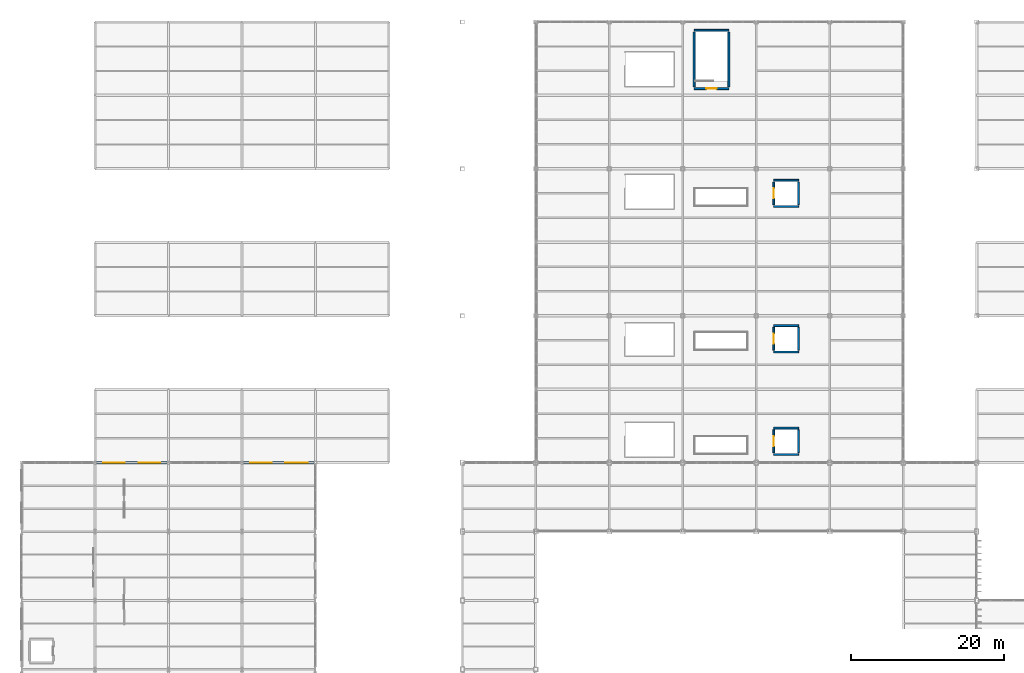
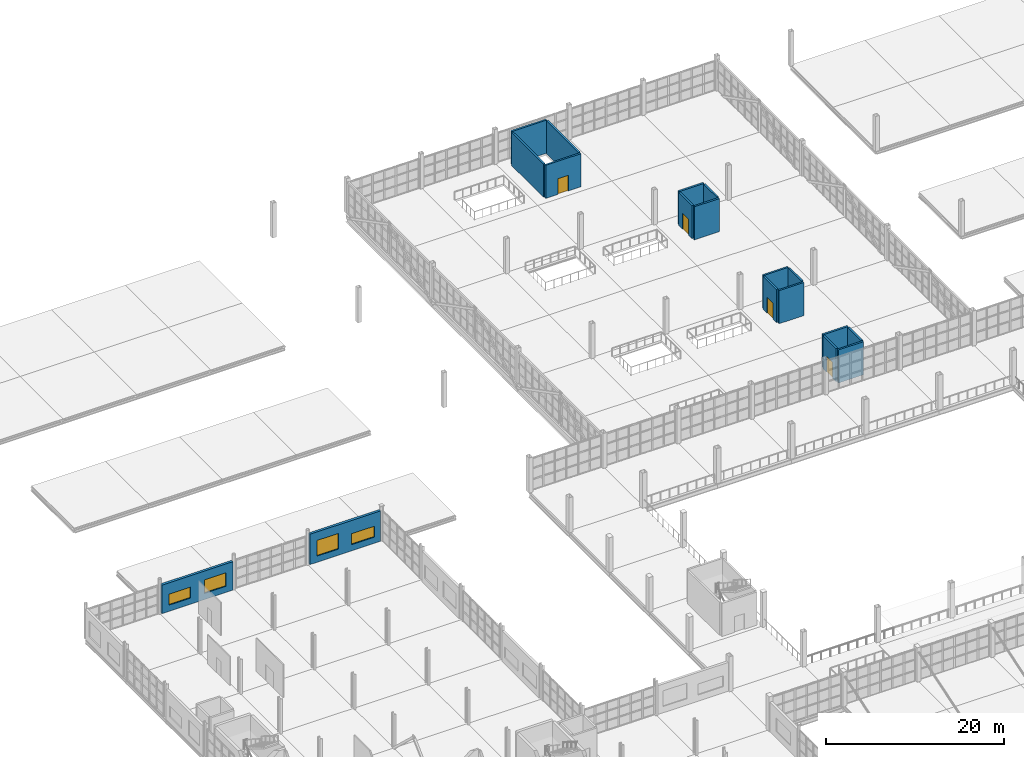
# One storey, part 110 of 120: 18 walls, 4 doors, 4 windows, 8 openings.
"""IFC4 building model written with IfcOpenShell, lengths in metres."""

import ifcopenshell
import ifcopenshell.guid

model = None  # the IFC model being written
_history = None  # IfcOwnerHistory: only IFC2X3 demands one
_inside = {}  # id of a spatial element -> (the spatial element, [elements in it])
_under = {}  # id of a project, library or spatial element -> (it, [spatial elements below it])
_declared = {}  # id of a project -> (the project, [libraries it declares])
_typed = {}  # id of a type object -> (the type object, [elements of that type])
_made_of = {}  # id of a material, layer set ... -> (it, [elements and type objects made of it])


def new_model(schema):
    """Start an empty IFC model of exactly this schema.

    Asked for "IFC4X3", IfcOpenShell would pick the latest addendum, in which some entities
    have other attributes; the version numbers below select the first issue.
    IFC2X3 requires an IfcOwnerHistory on every rooted entity: one is made here for all.
    """
    global model, _history
    if schema == "IFC4X3":
        model = ifcopenshell.file(schema_version=(4, 3, 0, 0))
    else:
        model = ifcopenshell.file(schema=schema)
    _inside.clear()
    _under.clear()
    _declared.clear()
    _typed.clear()
    _made_of.clear()
    _history = None
    if model.schema == "IFC2X3":
        org = make("IfcOrganization", Name="unknown")
        user = make(
            "IfcPersonAndOrganization",
            ThePerson=make("IfcPerson", FamilyName="unknown"),
            TheOrganization=org,
        )
        app = make(
            "IfcApplication",
            ApplicationDeveloper=org,
            Version="unknown",
            ApplicationFullName="unknown",
            ApplicationIdentifier="unknown",
        )
        _history = make(
            "IfcOwnerHistory",
            OwningUser=user,
            OwningApplication=app,
            ChangeAction="ADDED",
            CreationDate=0,
        )
    return model


def make(cls, **values):
    """One entity of the class cls with the attributes given. An attribute that is None is left unset."""
    return model.create_entity(
        cls, **{name: value for name, value in values.items() if value is not None}
    )


def rooted(cls, **values):
    """An entity with a GlobalId (a new one), such as an element, a storey or a relation."""
    return make(cls, GlobalId=ifcopenshell.guid.new(), OwnerHistory=_history, **values)


def si_unit(unit_type, name, prefix=None):
    """IfcSIUnit, for example si_unit("LENGTHUNIT", "METRE", prefix="MILLI")."""
    return make("IfcSIUnit", UnitType=unit_type, Prefix=prefix, Name=name)


def assignment(units):
    """IfcUnitAssignment: the units of a project."""
    return None if units is None else make("IfcUnitAssignment", Units=units)


def point(xyz):
    """IfcCartesianPoint."""
    return None if xyz is None else make("IfcCartesianPoint", Coordinates=xyz)


def direction(xyz):
    """IfcDirection."""
    return None if xyz is None else make("IfcDirection", DirectionRatios=xyz)


def frame(location, z_axis=None, x_axis=None):
    """IfcAxis2Placement3D, a coordinate frame: its origin and axes. An axis left out is left unset."""
    return make(
        "IfcAxis2Placement3D",
        Location=point(location),
        Axis=direction(z_axis),
        RefDirection=direction(x_axis),
    )


def frame_2d(location, x_axis=None):
    """IfcAxis2Placement2D, a coordinate frame in the plane: its origin and x axis."""
    return make(
        "IfcAxis2Placement2D", Location=point(location), RefDirection=direction(x_axis)
    )


def origin():
    """The frame at (0, 0, 0) with its axes left unset."""
    return frame((0.0, 0.0, 0.0))


def place(relative_to, where):
    """IfcLocalPlacement: puts the frame where relative to a parent placement (None: the world)."""
    return make(
        "IfcLocalPlacement", PlacementRelTo=relative_to, RelativePlacement=where
    )


def context(
    kind, dimensions, precision=None, world=None, true_north=None, identifier=None
):
    """IfcGeometricRepresentationContext, for example the 3D "Model" context."""
    return make(
        "IfcGeometricRepresentationContext",
        ContextIdentifier=identifier,
        ContextType=kind,
        CoordinateSpaceDimension=dimensions,
        Precision=precision,
        WorldCoordinateSystem=world,
        TrueNorth=true_north,
    )


def subcontext(parent, identifier, kind, view, scale=None):
    """IfcGeometricRepresentationSubContext, for example "Body" below "Model"."""
    return make(
        "IfcGeometricRepresentationSubContext",
        ContextIdentifier=identifier,
        ContextType=kind,
        ParentContext=parent,
        TargetScale=scale,
        TargetView=view,
    )


def project(units=None, contexts=None):
    """IfcProject with its units and contexts."""
    return rooted(
        "IfcProject",
        Name="project",
        RepresentationContexts=contexts,
        UnitsInContext=assignment(units),
    )


def spatial(cls, under=None, at=None, **own):
    """A site, building, storey or space (cls), placed at a placement, below another one or the project."""
    s = rooted(cls, ObjectPlacement=at, **own)
    if under is not None:
        _under.setdefault(under.id(), (under, []))[1].append(s)
    return s


def profile(cls, at=None, kind="AREA", **sizes):
    """A parametric profile (cls). Its sizes go by their IFC names, for example OverallWidth=200.0."""
    return make(cls, ProfileType=kind, Position=at, **sizes)


def rectangle(**sizes):
    """IfcRectangleProfileDef."""
    return profile("IfcRectangleProfileDef", **sizes)


def extrude(swept, where, along, depth):
    """IfcExtrudedAreaSolid: the profile swept, set in the frame where, extruded along a direction by depth."""
    return make(
        "IfcExtrudedAreaSolid",
        SweptArea=swept,
        Position=where,
        ExtrudedDirection=direction(along),
        Depth=depth,
    )


def shape(context_of_items, identifier, shape_type, items):
    """IfcShapeRepresentation: the items that make up one representation, for example the "Body"."""
    return make(
        "IfcShapeRepresentation",
        ContextOfItems=context_of_items,
        RepresentationIdentifier=identifier,
        RepresentationType=shape_type,
        Items=items,
    )


def material(Name=None, Category=None):
    """IfcMaterial."""
    return make("IfcMaterial", Name=Name, Category=Category)


def layer(
    of_material, thickness, ventilated=None, Name=None, Category=None, Priority=None
):
    """IfcMaterialLayer: one layer of a wall or slab, of a material (None: an air gap)."""
    return make(
        "IfcMaterialLayer",
        Material=of_material,
        LayerThickness=thickness,
        IsVentilated=ventilated,
        Name=Name,
        Category=Category,
        Priority=Priority,
    )


def layer_set(layers, Name=None):
    """IfcMaterialLayerSet."""
    return make("IfcMaterialLayerSet", MaterialLayers=layers, LayerSetName=Name)


def made_of(thing, what):
    """Note that an element or type object is made of a material, layer set ...; save() writes the relation."""
    if what is not None:
        _made_of.setdefault(what.id(), (what, []))[1].append(thing)
    return thing


def type_object(cls, material=None, **own):
    """A type object (cls), such as IfcWallType, which elements share."""
    return made_of(rooted(cls, **own), material)


def element(
    cls,
    number,
    at=None,
    inside=None,
    cuts=None,
    type_object=None,
    material=None,
    context=None,
    identifier="Body",
    shape_type=None,
    held_by="IfcProductDefinitionShape",
    body=None,
    shapes=None,
    **own,
):
    """One element of the class cls, such as IfcWall. Its Tag is "e" and its number.

    at: its placement. inside: the storey or other place that contains it. cuts: it is an
    opening in that element (IfcRelVoidsElement). A single representation is given by context,
    identifier, shape_type and body (its items); several are given by shapes. held_by: the class
    of the entity that holds the representations. save() writes the other relations.
    """
    e = rooted(cls, Tag="e%d" % number, ObjectPlacement=at, **own)
    if body is not None:
        shapes = [shape(context, identifier, shape_type, body)]
    if shapes is not None:
        e.Representation = make(held_by, Representations=shapes)
    if inside is not None:
        _inside.setdefault(inside.id(), (inside, []))[1].append(e)
    if cuts is not None:
        rooted(
            "IfcRelVoidsElement", RelatingBuildingElement=cuts, RelatedOpeningElement=e
        )
    if type_object is not None:
        _typed.setdefault(type_object.id(), (type_object, []))[1].append(e)
    return made_of(e, material)


def fill(opening, filler):
    """IfcRelFillsElement: the door or window that sits in an opening."""
    return rooted(
        "IfcRelFillsElement",
        RelatingOpeningElement=opening,
        RelatedBuildingElement=filler,
    )


def aggregate(whole, parts):
    """IfcRelAggregates: a whole, such as a stair, and the parts it consists of."""
    return rooted("IfcRelAggregates", RelatingObject=whole, RelatedObjects=parts)


def save(model, path):
    """Write the relations noted so far, then the file.

    IfcRelAggregates (storeys below a building ...), IfcRelContainedInSpatialStructure (elements
    in a storey), IfcRelDefinesByType, IfcRelAssociatesMaterial and IfcRelDeclares: one each for
    every whole, place, type object, material and project.
    """
    for whole, parts in _under.values():
        aggregate(whole, parts)
    for where, things in _inside.values():
        rooted(
            "IfcRelContainedInSpatialStructure",
            RelatedElements=things,
            RelatingStructure=where,
        )
    for kind, things in _typed.values():
        rooted("IfcRelDefinesByType", RelatedObjects=things, RelatingType=kind)
    for what, things in _made_of.values():
        rooted("IfcRelAssociatesMaterial", RelatedObjects=things, RelatingMaterial=what)
    for by, libraries in _declared.values():
        rooted("IfcRelDeclares", RelatingContext=by, RelatedDefinitions=libraries)
    model.write(path)


model = new_model("IFC4")

# Units and contexts
model_context = context("Model", 3, precision=1e-05, world=origin(), true_north=direction((0.0, 1.0)))
body_context = subcontext(model_context, "Body", "Model", "MODEL_VIEW")
ifc_project = project(units=[si_unit("LENGTHUNIT", "METRE"), si_unit("AREAUNIT", "SQUARE_METRE"), si_unit("VOLUMEUNIT", "CUBIC_METRE"), si_unit("PLANEANGLEUNIT", "RADIAN"), si_unit("MASSUNIT", "GRAM", prefix="KILO")], contexts=[model_context])

# Site, building, storey
site_placement = place(None, origin())
site = spatial("IfcSite", under=ifc_project, at=site_placement, CompositionType="ELEMENT")
building_placement = place(site_placement, origin())
building = spatial("IfcBuilding", under=site, at=building_placement, Name="Zarnetskaya Central Station", CompositionType="ELEMENT")
storey_placement = place(building_placement, frame((0.0, 0.0, 5.39990234375)))
storey = spatial("IfcBuildingStorey", under=building, at=storey_placement, Name="L01", CompositionType="ELEMENT", Elevation=5.39990234375)

# Wall, openings, windows
ifc_material_1 = material(Name="Precast concrete C40/50", Category="concrete")
ifc_layer_1 = layer(ifc_material_1, 0.320068359375, Name="Precast concrete C40/50", Category="concrete")
ifc_layer_set_1 = layer_set([ifc_layer_1], Name="Precast concrete C40/50")
wall_type_1 = type_object("IfcWallType", Name="WALL-EXT-320", PredefinedType="SOLIDWALL", material=ifc_layer_set_1)
wall_1_placement = place(storey_placement, frame((9.80322265625, 67.199951171875, 0.0), z_axis=(0.0, 0.0, 1.0), x_axis=(1.0, 0.0, 0.0)))
wall_1 = element("IfcWall", 1, at=wall_1_placement, inside=storey, type_object=wall_type_1, Name="Exterior precast wall EW-L01-98-672-190-672", PredefinedType="SOLIDWALL", context=body_context, shape_type="SweptSolid", body=[
    extrude(rectangle(XDim=9.193603515625, YDim=0.320068359375, at=frame_2d((4.5966796875, 0.0))), origin(), (0.0, 0.0, 1.0), 3.91015625),
])
opening_1_placement = place(wall_1_placement, frame((0.8984375, 0.0, 0.85009765625)))
opening_1 = element("IfcOpeningElement", 2, at=opening_1_placement, cuts=wall_1, Name="Opening WN-27", PredefinedType="OPENING", context=body_context, shape_type="SweptSolid", body=[
    extrude(rectangle(XDim=2.800048828125, YDim=1.5, at=frame_2d((1.39990234375, 0.75))), frame((0.0, 0.169921875, 0.0), z_axis=(0.0, -1.0, 0.0), x_axis=(1.0, 0.0, 0.0)), (0.0, 0.0, 1.0), 0.340087890625),
])
opening_2_placement = place(wall_1_placement, frame((5.4951171875, 0.0, 0.85009765625)))
opening_2 = element("IfcOpeningElement", 3, at=opening_2_placement, cuts=wall_1, Name="Opening WN-02", PredefinedType="OPENING", context=body_context, shape_type="SweptSolid", body=[
    extrude(rectangle(XDim=2.800048828125, YDim=1.85009765625, at=frame_2d((1.39990234375, 0.925048828125))), frame((0.0, 0.169921875, 0.0), z_axis=(0.0, -1.0, 0.0), x_axis=(1.0, 0.0, 0.0)), (0.0, 0.0, 1.0), 0.340087890625),
])
ifc_material_2 = material(Name="Low-E insulated glass", Category="glass")
window_type_1 = type_object("IfcWindowType", Name="WIN-43", PartitioningType="DOUBLE_PANEL_VERTICAL", PredefinedType="WINDOW", material=ifc_material_2)
window_1_placement = place(opening_1_placement, origin())
window_1 = element("IfcWindow", 4, at=window_1_placement, inside=storey, type_object=window_type_1, Name="Facade window L01-0043", OverallHeight=1.5, OverallWidth=2.800048828125, PartitioningType="SINGLE_PANEL", PredefinedType="WINDOW", context=body_context, shape_type="SweptSolid", body=[
    extrude(rectangle(XDim=2.800048828125, YDim=1.5, at=frame_2d((1.39990234375, 0.75))), frame((0.0, 0.030029296875, 0.0), z_axis=(0.0, -1.0, 0.0), x_axis=(1.0, 0.0, 0.0)), (0.0, 0.0, 1.0), 0.06005859375),
])
fill(opening_1, window_1)
window_type_2 = type_object("IfcWindowType", Name="WIN-44", PartitioningType="DOUBLE_PANEL_VERTICAL", PredefinedType="WINDOW", material=ifc_material_2)
window_2_placement = place(opening_2_placement, origin())
window_2 = element("IfcWindow", 5, at=window_2_placement, inside=storey, type_object=window_type_2, Name="Facade window L01-0044", OverallHeight=1.85009765625, OverallWidth=2.800048828125, PartitioningType="SINGLE_PANEL", PredefinedType="WINDOW", context=body_context, shape_type="SweptSolid", body=[
    extrude(rectangle(XDim=2.800048828125, YDim=1.85009765625, at=frame_2d((1.39990234375, 0.925048828125))), frame((0.0, 0.030029296875, 0.0), z_axis=(0.0, -1.0, 0.0), x_axis=(1.0, 0.0, 0.0)), (0.0, 0.0, 1.0), 0.06005859375),
])
fill(opening_2, window_2)

wall_2_placement = place(storey_placement, frame((29.003173828125, 67.199951171875, 0.0), z_axis=(0.0, 0.0, 1.0), x_axis=(1.0, 0.0, 0.0)))
wall_2 = element("IfcWall", 6, at=wall_2_placement, inside=storey, type_object=wall_type_1, Name="Exterior precast wall EW-L01-290-672-382-672", PredefinedType="SOLIDWALL", context=body_context, shape_type="SweptSolid", body=[
    extrude(rectangle(XDim=9.193603515625, YDim=0.320068359375, at=frame_2d((4.5966796875, 0.0))), origin(), (0.0, 0.0, 1.0), 4.170166015625),
])
opening_3_placement = place(wall_2_placement, frame((0.8984375, 0.0, 0.85009765625)))
opening_3 = element("IfcOpeningElement", 7, at=opening_3_placement, cuts=wall_2, Name="Opening WN-05", PredefinedType="OPENING", context=body_context, shape_type="SweptSolid", body=[
    extrude(rectangle(XDim=2.800048828125, YDim=2.14990234375, at=frame_2d((1.39990234375, 1.074951171875))), frame((0.0, 0.169921875, 0.0), z_axis=(0.0, -1.0, 0.0), x_axis=(1.0, 0.0, 0.0)), (0.0, 0.0, 1.0), 0.340087890625),
])
opening_4_placement = place(wall_2_placement, frame((5.420166015625, 0.0, 0.85009765625)))
opening_4 = element("IfcOpeningElement", 8, at=opening_4_placement, cuts=wall_2, Name="Opening WN-33", PredefinedType="OPENING", context=body_context, shape_type="SweptSolid", body=[
    extrude(rectangle(XDim=2.949951171875, YDim=1.5, at=frame_2d((1.47509765625, 0.75))), frame((0.0, 0.169921875, 0.0), z_axis=(0.0, -1.0, 0.0), x_axis=(1.0, 0.0, 0.0)), (0.0, 0.0, 1.0), 0.340087890625),
])
window_type_3 = type_object("IfcWindowType", Name="WIN-45", PartitioningType="DOUBLE_PANEL_VERTICAL", PredefinedType="WINDOW", material=ifc_material_2)
window_3_placement = place(opening_3_placement, origin())
window_3 = element("IfcWindow", 9, at=window_3_placement, inside=storey, type_object=window_type_3, Name="Facade window L01-0045", OverallHeight=2.14990234375, OverallWidth=2.800048828125, PartitioningType="SINGLE_PANEL", PredefinedType="WINDOW", context=body_context, shape_type="SweptSolid", body=[
    extrude(rectangle(XDim=2.800048828125, YDim=2.14990234375, at=frame_2d((1.39990234375, 1.074951171875))), frame((0.0, 0.030029296875, 0.0), z_axis=(0.0, -1.0, 0.0), x_axis=(1.0, 0.0, 0.0)), (0.0, 0.0, 1.0), 0.06005859375),
])
fill(opening_3, window_3)
window_type_4 = type_object("IfcWindowType", Name="WIN-46", PartitioningType="DOUBLE_PANEL_VERTICAL", PredefinedType="WINDOW", material=ifc_material_2)
window_4_placement = place(opening_4_placement, origin())
window_4 = element("IfcWindow", 10, at=window_4_placement, inside=storey, type_object=window_type_4, Name="Facade window L01-0046", OverallHeight=1.5, OverallWidth=2.949951171875, PartitioningType="SINGLE_PANEL", PredefinedType="WINDOW", context=body_context, shape_type="SweptSolid", body=[
    extrude(rectangle(XDim=2.949951171875, YDim=1.5, at=frame_2d((1.47509765625, 0.75))), frame((0.0, 0.030029296875, 0.0), z_axis=(0.0, -1.0, 0.0), x_axis=(1.0, 0.0, 0.0)), (0.0, 0.0, 1.0), 0.06005859375),
])
fill(opening_4, window_4)

# Walls
ifc_material_3 = material(Name="Concrete C35/45", Category="concrete")
ifc_layer_2 = layer(ifc_material_3, 0.239990234375, Name="Concrete C35/45", Category="concrete")
ifc_layer_set_2 = layer_set([ifc_layer_2], Name="Concrete C35/45")
wall_type_2 = type_object("IfcWallType", Name="WALL-SHFT-240", PredefinedType="SHEAR", material=ifc_layer_set_2)
for number, where, z_axis, x_axis, name in (
    (11, (101.52001953125, 68.280029296875, 0.0), (0.0, 0.0, 1.0), (-1.0, 0.0, 0.0), "Core shear wall WSHF-L01-0145"),
    (12, (98.280029296875, 71.719970703125, 0.0), (0.0, 0.0, 1.0), (1.0, 0.0, 0.0), "Core shear wall WSHF-L01-0146"),
):
    element("IfcWall", number, at=place(storey_placement, frame(where, z_axis=z_axis, x_axis=x_axis)), inside=storey, type_object=wall_type_2, Name=name, PredefinedType="SHEAR", context=body_context, shape_type="SweptSolid", body=[
        extrude(rectangle(XDim=3.239990234375, YDim=0.239990234375, at=frame_2d((1.6201171875, 0.0))), origin(), (0.0, 0.0, 1.0), 4.5400390625),
    ])

# Wall, opening, door
wall_3_placement = place(storey_placement, frame((98.280029296875, 68.52001953125, 0.0), z_axis=(0.0, 0.0, 1.0), x_axis=(0.0, 1.0, 0.0)))
wall_3 = element("IfcWall", 13, at=wall_3_placement, inside=storey, type_object=wall_type_2, Name="Core shear wall WSHF-L01-0147", PredefinedType="SHEAR", context=body_context, shape_type="SweptSolid", body=[
    extrude(rectangle(XDim=2.9599609375, YDim=0.239990234375, at=frame_2d((1.47998046875, 0.0))), origin(), (0.0, 0.0, 1.0), 4.5400390625),
])
opening_5_placement = place(wall_3_placement, frame((0.81005859375, 0.0, 0.0)))
opening_5 = element("IfcOpeningElement", 14, at=opening_5_placement, cuts=wall_3, Name="Opening DR-23", PredefinedType="OPENING", context=body_context, shape_type="SweptSolid", body=[
    extrude(rectangle(XDim=1.340087890625, YDim=2.179931640625, at=frame_2d((0.669921875, 1.08984375))), frame((0.0, 0.1298828125, 0.0), z_axis=(0.0, -1.0, 0.0), x_axis=(1.0, 0.0, 0.0)), (0.0, 0.0, 1.0), 0.260009765625),
])
ifc_material_4 = material(Name="Anodised aluminium", Category="aluminium")
door_type_1 = type_object("IfcDoorType", Name="DR-LIFT-PLAT", OperationType="NOTDEFINED", PredefinedType="DOOR", material=ifc_material_4)
door_1_placement = place(opening_5_placement, origin())
door_1 = element("IfcDoor", 15, at=door_1_placement, inside=storey, type_object=door_type_1, Name="Lift landing sliding door LP-04 L01", OperationType="DOUBLE_DOOR_SLIDING", OverallHeight=2.179931640625, OverallWidth=1.340087890625, PredefinedType="DOOR", context=body_context, shape_type="SweptSolid", body=[
    extrude(rectangle(XDim=1.340087890625, YDim=2.179931640625, at=frame_2d((0.669921875, 1.08984375))), frame((0.0, 0.02490234375, 0.0), z_axis=(0.0, -1.0, 0.0), x_axis=(1.0, 0.0, 0.0)), (0.0, 0.0, 1.0), 0.050048828125),
])
fill(opening_5, door_1)

# Walls
wall_4_placement = place(storey_placement, frame((101.52001953125, 71.47998046875, 0.0), z_axis=(0.0, 0.0, 1.0), x_axis=(0.0, -1.0, 0.0)))
element("IfcWall", 16, at=wall_4_placement, inside=storey, type_object=wall_type_2, Name="Core shear wall WSHF-L01-0148", PredefinedType="SHEAR", context=body_context, shape_type="SweptSolid", body=[
    extrude(rectangle(XDim=2.9599609375, YDim=0.239990234375, at=frame_2d((1.47998046875, 0.0))), origin(), (0.0, 0.0, 1.0), 4.5400390625),
])
for number, where, z_axis, x_axis, name in (
    (17, (101.52001953125, 81.679931640625, 0.0), (0.0, 0.0, 1.0), (-1.0, 0.0, 0.0), "Core shear wall WSHF-L01-0157"),
    (18, (98.280029296875, 85.1201171875, 0.0), (0.0, 0.0, 1.0), (1.0, 0.0, 0.0), "Core shear wall WSHF-L01-0158"),
):
    element("IfcWall", number, at=place(storey_placement, frame(where, z_axis=z_axis, x_axis=x_axis)), inside=storey, type_object=wall_type_2, Name=name, PredefinedType="SHEAR", context=body_context, shape_type="SweptSolid", body=[
        extrude(rectangle(XDim=3.239990234375, YDim=0.239990234375, at=frame_2d((1.6201171875, 0.0))), origin(), (0.0, 0.0, 1.0), 4.5400390625),
    ])

# Wall, opening, door
wall_5_placement = place(storey_placement, frame((98.280029296875, 81.919921875, 0.0), z_axis=(0.0, 0.0, 1.0), x_axis=(0.0, 1.0, 0.0)))
wall_5 = element("IfcWall", 19, at=wall_5_placement, inside=storey, type_object=wall_type_2, Name="Core shear wall WSHF-L01-0159", PredefinedType="SHEAR", context=body_context, shape_type="SweptSolid", body=[
    extrude(rectangle(XDim=2.9599609375, YDim=0.239990234375, at=frame_2d((1.47998046875, 0.0))), origin(), (0.0, 0.0, 1.0), 4.5400390625),
])
opening_6_placement = place(wall_5_placement, frame((0.81005859375, 0.0, 0.0)))
opening_6 = element("IfcOpeningElement", 20, at=opening_6_placement, cuts=wall_5, Name="Opening DR-23", PredefinedType="OPENING", context=body_context, shape_type="SweptSolid", body=[
    extrude(rectangle(XDim=1.340087890625, YDim=2.179931640625, at=frame_2d((0.669921875, 1.08984375))), frame((0.0, 0.1298828125, 0.0), z_axis=(0.0, -1.0, 0.0), x_axis=(1.0, 0.0, 0.0)), (0.0, 0.0, 1.0), 0.260009765625),
])
door_2_placement = place(opening_6_placement, origin())
door_2 = element("IfcDoor", 21, at=door_2_placement, inside=storey, type_object=door_type_1, Name="Lift landing sliding door LP-05 L01", OperationType="DOUBLE_DOOR_SLIDING", OverallHeight=2.179931640625, OverallWidth=1.340087890625, PredefinedType="DOOR", context=body_context, shape_type="SweptSolid", body=[
    extrude(rectangle(XDim=1.340087890625, YDim=2.179931640625, at=frame_2d((0.669921875, 1.08984375))), frame((0.0, 0.02490234375, 0.0), z_axis=(0.0, -1.0, 0.0), x_axis=(1.0, 0.0, 0.0)), (0.0, 0.0, 1.0), 0.050048828125),
])
fill(opening_6, door_2)

# Walls
wall_6_placement = place(storey_placement, frame((101.52001953125, 84.8798828125, 0.0), z_axis=(0.0, 0.0, 1.0), x_axis=(0.0, -1.0, 0.0)))
element("IfcWall", 22, at=wall_6_placement, inside=storey, type_object=wall_type_2, Name="Core shear wall WSHF-L01-0160", PredefinedType="SHEAR", context=body_context, shape_type="SweptSolid", body=[
    extrude(rectangle(XDim=2.9599609375, YDim=0.239990234375, at=frame_2d((1.47998046875, 0.0))), origin(), (0.0, 0.0, 1.0), 4.5400390625),
])
for number, where, z_axis, x_axis, name in (
    (23, (101.52001953125, 100.679931640625, 0.0), (0.0, 0.0, 1.0), (-1.0, 0.0, 0.0), "Core shear wall WSHF-L01-0169"),
    (24, (98.280029296875, 104.1201171875, 0.0), (0.0, 0.0, 1.0), (1.0, 0.0, 0.0), "Core shear wall WSHF-L01-0170"),
):
    element("IfcWall", number, at=place(storey_placement, frame(where, z_axis=z_axis, x_axis=x_axis)), inside=storey, type_object=wall_type_2, Name=name, PredefinedType="SHEAR", context=body_context, shape_type="SweptSolid", body=[
        extrude(rectangle(XDim=3.239990234375, YDim=0.239990234375, at=frame_2d((1.6201171875, 0.0))), origin(), (0.0, 0.0, 1.0), 4.5400390625),
    ])

# Wall, opening, door
wall_7_placement = place(storey_placement, frame((98.280029296875, 100.919921875, 0.0), z_axis=(0.0, 0.0, 1.0), x_axis=(0.0, 1.0, 0.0)))
wall_7 = element("IfcWall", 25, at=wall_7_placement, inside=storey, type_object=wall_type_2, Name="Core shear wall WSHF-L01-0171", PredefinedType="SHEAR", context=body_context, shape_type="SweptSolid", body=[
    extrude(rectangle(XDim=2.9599609375, YDim=0.239990234375, at=frame_2d((1.47998046875, 0.0))), origin(), (0.0, 0.0, 1.0), 4.5400390625),
])
opening_7_placement = place(wall_7_placement, frame((0.81005859375, 0.0, 0.0)))
opening_7 = element("IfcOpeningElement", 26, at=opening_7_placement, cuts=wall_7, Name="Opening DR-23", PredefinedType="OPENING", context=body_context, shape_type="SweptSolid", body=[
    extrude(rectangle(XDim=1.340087890625, YDim=2.179931640625, at=frame_2d((0.669921875, 1.08984375))), frame((0.0, 0.1298828125, 0.0), z_axis=(0.0, -1.0, 0.0), x_axis=(1.0, 0.0, 0.0)), (0.0, 0.0, 1.0), 0.260009765625),
])
door_3_placement = place(opening_7_placement, origin())
door_3 = element("IfcDoor", 27, at=door_3_placement, inside=storey, type_object=door_type_1, Name="Lift landing sliding door LP-06 L01", OperationType="DOUBLE_DOOR_SLIDING", OverallHeight=2.179931640625, OverallWidth=1.340087890625, PredefinedType="DOOR", context=body_context, shape_type="SweptSolid", body=[
    extrude(rectangle(XDim=1.340087890625, YDim=2.179931640625, at=frame_2d((0.669921875, 1.08984375))), frame((0.0, 0.02490234375, 0.0), z_axis=(0.0, -1.0, 0.0), x_axis=(1.0, 0.0, 0.0)), (0.0, 0.0, 1.0), 0.050048828125),
])
fill(opening_7, door_3)

# Wall
wall_8_placement = place(storey_placement, frame((101.52001953125, 103.8798828125, 0.0), z_axis=(0.0, 0.0, 1.0), x_axis=(0.0, -1.0, 0.0)))
element("IfcWall", 28, at=wall_8_placement, inside=storey, type_object=wall_type_2, Name="Core shear wall WSHF-L01-0172", PredefinedType="SHEAR", context=body_context, shape_type="SweptSolid", body=[
    extrude(rectangle(XDim=2.9599609375, YDim=0.239990234375, at=frame_2d((1.47998046875, 0.0))), origin(), (0.0, 0.0, 1.0), 4.5400390625),
])

# Wall, opening, door
wall_9_placement = place(storey_placement, frame((92.419921875, 116.080078125, 0.0), z_axis=(0.0, 0.0, 1.0), x_axis=(-1.0, 0.0, 0.0)))
wall_9 = element("IfcWall", 29, at=wall_9_placement, inside=storey, type_object=wall_type_2, Name="Core shear wall WSTR-L01-0325", PredefinedType="SHEAR", context=body_context, shape_type="SweptSolid", body=[
    extrude(rectangle(XDim=4.5400390625, YDim=0.239990234375, at=frame_2d((2.27001953125, 0.0))), origin(), (0.0, 0.0, 1.0), 4.5400390625),
])
opening_8_placement = place(wall_9_placement, frame((1.610107421875, 0.0, 0.0)))
opening_8 = element("IfcOpeningElement", 30, at=opening_8_placement, cuts=wall_9, Name="Opening DR-FD60", PredefinedType="OPENING", context=body_context, shape_type="SweptSolid", body=[
    extrude(rectangle(XDim=1.320068359375, YDim=2.14990234375, at=frame_2d((0.66015625, 1.074951171875))), frame((0.0, 0.1298828125, 0.0), z_axis=(0.0, -1.0, 0.0), x_axis=(1.0, 0.0, 0.0)), (0.0, 0.0, 1.0), 0.260009765625),
])
door_type_2 = type_object("IfcDoorType", Name="DR-FIRE-STAIR", OperationType="NOTDEFINED", PredefinedType="DOOR", material=ifc_material_4)
door_4_placement = place(opening_8_placement, origin())
door_4 = element("IfcDoor", 31, at=door_4_placement, inside=storey, type_object=door_type_2, Name="Protected exit stair door ST-B1 L01", OperationType="SINGLE_SWING_RIGHT", OverallHeight=2.14990234375, OverallWidth=1.320068359375, PredefinedType="DOOR", context=body_context, shape_type="SweptSolid", body=[
    extrude(rectangle(XDim=1.320068359375, YDim=2.14990234375, at=frame_2d((0.66015625, 1.074951171875))), frame((0.0, 0.02490234375, 0.0), z_axis=(0.0, -1.0, 0.0), x_axis=(1.0, 0.0, 0.0)), (0.0, 0.0, 1.0), 0.050048828125),
])
fill(opening_8, door_4)

# Walls
wall_10_placement = place(storey_placement, frame((87.8798828125, 123.719970703125, 0.0), z_axis=(0.0, 0.0, 1.0), x_axis=(1.0, 0.0, 0.0)))
element("IfcWall", 32, at=wall_10_placement, inside=storey, type_object=wall_type_2, Name="Core shear wall WSTR-L01-0326", PredefinedType="SHEAR", context=body_context, shape_type="SweptSolid", body=[
    extrude(rectangle(XDim=4.5400390625, YDim=0.239990234375, at=frame_2d((2.27001953125, 0.0))), origin(), (0.0, 0.0, 1.0), 4.5400390625),
])
for number, where, z_axis, x_axis, name in (
    (33, (87.8798828125, 116.320068359375, 0.0), (0.0, 0.0, 1.0), (0.0, 1.0, 0.0), "Core shear wall WSTR-L01-0327"),
    (34, (92.419921875, 123.47998046875, 0.0), (0.0, 0.0, 1.0), (0.0, -1.0, 0.0), "Core shear wall WSTR-L01-0328"),
):
    element("IfcWall", number, at=place(storey_placement, frame(where, z_axis=z_axis, x_axis=x_axis)), inside=storey, type_object=wall_type_2, Name=name, PredefinedType="SHEAR", context=body_context, shape_type="SweptSolid", body=[
        extrude(rectangle(XDim=7.159912109375, YDim=0.239990234375, at=frame_2d((3.580078125, 0.0))), origin(), (0.0, 0.0, 1.0), 4.5400390625),
    ])

save(model, "model.ifc")
